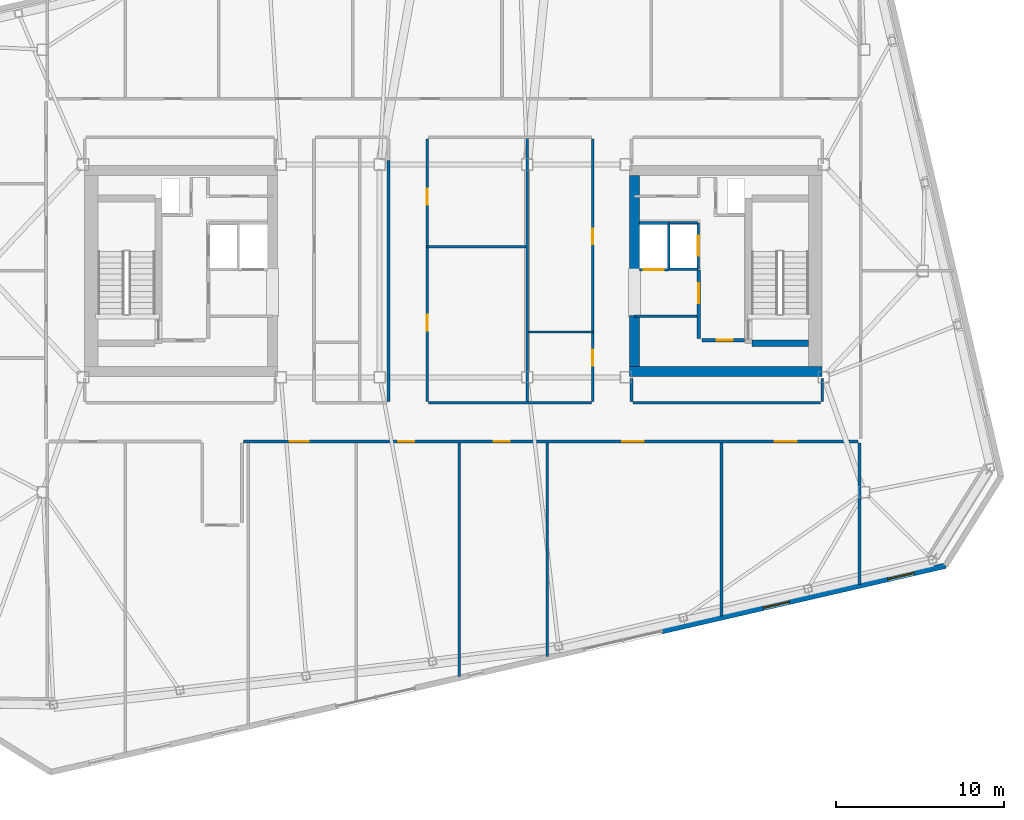
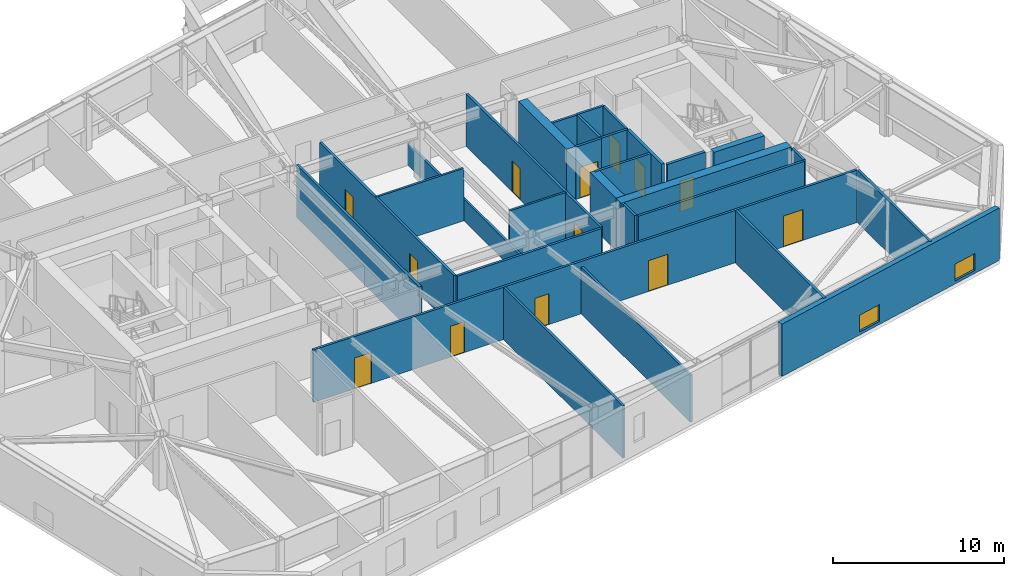
# One storey, part 17 of 23: 29 walls, 13 doors, 2 windows, 15 openings.
"""IFC4 building model written with IfcOpenShell, lengths in metres."""

from ifc_helpers import new_model, si_unit, direction, frame, frame_2d, origin, place, context, subcontext, project, spatial, rectangle, extrude, material, layer, layer_set, type_object, element, fill, save


model = new_model("IFC4")

# Units and contexts
model_context = context("Model", 3, precision=1e-05, world=origin(), true_north=direction((0.0, 1.0)))
body_context = subcontext(model_context, "Body", "Model", "MODEL_VIEW")
ifc_project = project(units=[si_unit("LENGTHUNIT", "METRE"), si_unit("AREAUNIT", "SQUARE_METRE"), si_unit("VOLUMEUNIT", "CUBIC_METRE"), si_unit("PLANEANGLEUNIT", "RADIAN"), si_unit("MASSUNIT", "GRAM", prefix="KILO")], contexts=[model_context])

# Site, building, storey
site_placement = place(None, origin())
site = spatial("IfcSite", under=ifc_project, at=site_placement, CompositionType="ELEMENT")
building_placement = place(site_placement, origin())
building = spatial("IfcBuilding", under=site, at=building_placement, Name="Tavrogorsk Clinical Tower", CompositionType="ELEMENT")
storey_placement = place(building_placement, frame((0.0, 0.0, 305.0)))
storey = spatial("IfcBuildingStorey", under=building, at=storey_placement, Name="L71", CompositionType="ELEMENT", Elevation=305.0)

# Wall, opening, door
ifc_material_1 = material(Name="Concrete B60", Category="concrete")
ifc_layer_1 = layer(ifc_material_1, 0.199951171875)
ifc_layer_set_1 = layer_set([ifc_layer_1], Name="Concrete B60")
wall_type_1 = type_object("IfcWallType", Name="CoreFireWall_200", PredefinedType="SOLIDWALL", material=ifc_layer_set_1)
wall_1_placement = place(storey_placement, frame((14.824951171875, -4.139892578125, 0.0), z_axis=(0.0, 0.0, 1.0), x_axis=(1.0, 0.0, 0.0)))
wall_1 = element("IfcWall", 1, at=wall_1_placement, inside=storey, type_object=wall_type_1, Name="L71 Core East South Core Room Fire Wall", PredefinedType="SOLIDWALL", context=body_context, shape_type="SweptSolid", body=[
    extrude(rectangle(XDim=2.554931640625, YDim=0.199951171875, at=frame_2d((1.27734375, 0.0))), origin(), (0.0, 0.0, 1.0), 3.739990234375),
])
opening_1_placement = place(wall_1_placement, frame((0.8798828125, 0.0, 0.0)))
opening_1 = element("IfcOpeningElement", 2, at=opening_1_placement, cuts=wall_1, Name="Opening ID-02", PredefinedType="OPENING", context=body_context, shape_type="SweptSolid", body=[
    extrude(rectangle(XDim=0.949951171875, YDim=2.199951171875, at=frame_2d((0.47509765625, 1.10009765625))), frame((0.0, 0.10986328125, 0.0), z_axis=(0.0, -1.0, 0.0), x_axis=(1.0, 0.0, 0.0)), (0.0, 0.0, 1.0), 0.219970703125),
])
ifc_material_2 = material(Name="Laminated timber leaf on aluminium frame", Category="wood")
door_type_1 = type_object("IfcDoorType", Name="InteriorDoor_ID02_950", OperationType="NOTDEFINED", PredefinedType="DOOR", material=ifc_material_2)
door_1_placement = place(opening_1_placement, origin())
door_1 = element("IfcDoor", 3, at=door_1_placement, inside=storey, type_object=door_type_1, Name="L71 Core East South Core Room Door", OperationType="SINGLE_SWING_RIGHT", OverallHeight=2.199951171875, OverallWidth=0.949951171875, PredefinedType="DOOR", context=body_context, shape_type="SweptSolid", body=[
    extrude(rectangle(XDim=0.949951171875, YDim=2.199951171875, at=frame_2d((0.47509765625, 1.10009765625))), frame((0.0, 0.02490234375, 0.0), z_axis=(0.0, -1.0, 0.0), x_axis=(1.0, 0.0, 0.0)), (0.0, 0.0, 1.0), 0.050048828125),
])
fill(opening_1, door_1)

wall_2_placement = place(storey_placement, frame((14.639892578125, -4.034912109375, 0.0), z_axis=(0.0, 0.0, 1.0), x_axis=(0.0, 1.0, 0.0)))
wall_2 = element("IfcWall", 4, at=wall_2_placement, inside=storey, type_object=wall_type_1, Name="L71 Core East Firefighting Lobby Fire Wall", PredefinedType="SOLIDWALL", context=body_context, shape_type="SweptSolid", body=[
    extrude(rectangle(XDim=4.074951171875, YDim=0.199951171875, at=frame_2d((2.03759765625, 0.0))), origin(), (0.0, 0.0, 1.0), 3.739990234375),
])
opening_2_placement = place(wall_2_placement, frame((2.090087890625, 0.0, 0.0)))
opening_2 = element("IfcOpeningElement", 5, at=opening_2_placement, cuts=wall_2, Name="Opening FD-01", PredefinedType="OPENING", context=body_context, shape_type="SweptSolid", body=[
    extrude(rectangle(XDim=1.199951171875, YDim=2.199951171875, at=frame_2d((0.60009765625, 1.10009765625))), frame((0.0, 0.10986328125, 0.0), z_axis=(0.0, -1.0, 0.0), x_axis=(1.0, 0.0, 0.0)), (0.0, 0.0, 1.0), 0.219970703125),
])
ifc_material_3 = material(Name="Galvanised steel fire-rated door assembly", Category="steel")
door_type_2 = type_object("IfcDoorType", Name="FireDoor_FD01_1200", OperationType="NOTDEFINED", PredefinedType="DOOR", material=ifc_material_3)
door_2_placement = place(opening_2_placement, origin())
door_2 = element("IfcDoor", 6, at=door_2_placement, inside=storey, type_object=door_type_2, Name="L71 Core East Firefighting Lobby Entry Door", OperationType="SINGLE_SWING_RIGHT", OverallHeight=2.199951171875, OverallWidth=1.199951171875, PredefinedType="DOOR", context=body_context, shape_type="SweptSolid", body=[
    extrude(rectangle(XDim=1.199951171875, YDim=2.199951171875, at=frame_2d((0.60009765625, 1.10009765625))), frame((0.0, 0.02490234375, 0.0), z_axis=(0.0, -1.0, 0.0), x_axis=(1.0, 0.0, 0.0)), (0.0, 0.0, 1.0), 0.050048828125),
])
fill(opening_2, door_2)

# Walls
ifc_material_4 = material(Name="Lightweight concrete blockwork B15", Category="masonry")
ifc_layer_2 = layer(ifc_material_4, 0.139892578125)
ifc_layer_set_2 = layer_set([ifc_layer_2], Name="Lightweight concrete blockwork B15")
wall_type_2 = type_object("IfcWallType", Name="PartitionWall_140", PredefinedType="PARTITIONING", material=ifc_layer_set_2)
wall_3_placement = place(storey_placement, frame((4.39990234375, -7.864990234375, 0.0), z_axis=(0.0, 0.0, 1.0), x_axis=(0.0, 1.0, 0.0)))
element("IfcWall", 7, at=wall_3_placement, inside=storey, type_object=wall_type_2, Name="L71 Central Spine Partition 2", PredefinedType="PARTITIONING", context=body_context, shape_type="SweptSolid", body=[
    extrude(rectangle(XDim=15.830078125, YDim=0.139892578125, at=frame_2d((7.9150390625, 0.0))), origin(), (0.0, 0.0, 1.0), 1.534912109375),
])
wall_4_placement = place(storey_placement, frame((-1.56494140625, 1.449951171875, 0.0), z_axis=(0.0, 0.0, 1.0), x_axis=(1.0, 0.0, 0.0)))
element("IfcWall", 8, at=wall_4_placement, inside=storey, type_object=wall_type_2, Name="L71 Central Spine Partition 3", PredefinedType="PARTITIONING", context=body_context, shape_type="SweptSolid", body=[
    extrude(rectangle(XDim=5.889892578125, YDim=0.139892578125, at=frame_2d((2.94482421875, 0.0))), origin(), (0.0, 0.0, 1.0), 3.739990234375),
])
wall_5_placement = place(storey_placement, frame((4.47509765625, -3.64990234375, 0.0), z_axis=(0.0, 0.0, 1.0), x_axis=(1.0, 0.0, 0.0)))
element("IfcWall", 9, at=wall_5_placement, inside=storey, type_object=wall_type_2, Name="L71 Central Spine Partition 5", PredefinedType="PARTITIONING", context=body_context, shape_type="SweptSolid", body=[
    extrude(rectangle(XDim=3.83984375, YDim=0.139892578125, at=frame_2d((1.919921875, 0.0))), origin(), (0.0, 0.0, 1.0), 3.739990234375),
])
ifc_material_5 = material(Name="Lightweight concrete blockwork B15", Category="masonry")
ifc_layer_3 = layer(ifc_material_5, 0.159912109375)
ifc_layer_set_3 = layer_set([ifc_layer_3], Name="Lightweight concrete blockwork B15")
wall_type_3 = type_object("IfcWallType", Name="PartitionWall_160", PredefinedType="PARTITIONING", material=ifc_layer_set_3)
wall_6_placement = place(storey_placement, frame((10.800048828125, -2.699951171875, 0.0), z_axis=(0.0, 0.0, 1.0), x_axis=(1.0, 0.0, 0.0)))
element("IfcWall", 10, at=wall_6_placement, inside=storey, type_object=wall_type_3, Name="L71 Core East Freed Mid-Bank North Partition", PredefinedType="PARTITIONING", context=body_context, shape_type="SweptSolid", body=[
    extrude(rectangle(XDim=3.73486328125, YDim=0.159912109375, at=frame_2d((1.867431640625, 0.0))), origin(), (0.0, 0.0, 1.0), 3.739990234375),
])

# Wall, openings, doors
wall_7_placement = place(storey_placement, frame((24.14501953125, -10.179931640625, 0.0), z_axis=(0.0, 0.0, 1.0), x_axis=(-1.0, 0.0, 0.0)))
wall_7 = element("IfcWall", 11, at=wall_7_placement, inside=storey, type_object=wall_type_3, Name="L71 Corridor Partition 04", PredefinedType="PARTITIONING", context=body_context, shape_type="SweptSolid", body=[
    extrude(rectangle(XDim=36.679931640625, YDim=0.159912109375, at=frame_2d((18.33984375, 0.0))), origin(), (0.0, 0.0, 1.0), 3.739990234375),
])
opening_3_placement = place(wall_7_placement, frame((32.77099609375, 0.0, 0.0)))
opening_3 = element("IfcOpeningElement", 12, at=opening_3_placement, cuts=wall_7, Name="Opening ID-06", PredefinedType="OPENING", context=body_context, shape_type="SweptSolid", body=[
    extrude(rectangle(XDim=1.14990234375, YDim=2.199951171875, at=frame_2d((0.574951171875, 1.10009765625))), frame((0.0, 0.08984375, 0.0), z_axis=(0.0, -1.0, 0.0), x_axis=(1.0, 0.0, 0.0)), (0.0, 0.0, 1.0), 0.179931640625),
])
opening_4_placement = place(wall_7_placement, frame((26.47998046875, 0.0, 0.0)))
opening_4 = element("IfcOpeningElement", 13, at=opening_4_placement, cuts=wall_7, Name="Opening ID-02", PredefinedType="OPENING", context=body_context, shape_type="SweptSolid", body=[
    extrude(rectangle(XDim=0.949951171875, YDim=2.199951171875, at=frame_2d((0.47509765625, 1.10009765625))), frame((0.0, 0.08984375, 0.0), z_axis=(0.0, -1.0, 0.0), x_axis=(1.0, 0.0, 0.0)), (0.0, 0.0, 1.0), 0.179931640625),
])
opening_5_placement = place(wall_7_placement, frame((20.780029296875, 0.0, 0.0)))
opening_5 = element("IfcOpeningElement", 14, at=opening_5_placement, cuts=wall_7, Name="Opening ID-02", PredefinedType="OPENING", context=body_context, shape_type="SweptSolid", body=[
    extrude(rectangle(XDim=0.949951171875, YDim=2.199951171875, at=frame_2d((0.47509765625, 1.10009765625))), frame((0.0, 0.08984375, 0.0), z_axis=(0.0, -1.0, 0.0), x_axis=(1.0, 0.0, 0.0)), (0.0, 0.0, 1.0), 0.179931640625),
])
opening_6_placement = place(wall_7_placement, frame((12.780029296875, 0.0, 0.0)))
opening_6 = element("IfcOpeningElement", 15, at=opening_6_placement, cuts=wall_7, Name="Opening ID-01", PredefinedType="OPENING", context=body_context, shape_type="SweptSolid", body=[
    extrude(rectangle(XDim=1.300048828125, YDim=2.199951171875, at=frame_2d((0.64990234375, 1.10009765625))), frame((0.0, 0.08984375, 0.0), z_axis=(0.0, -1.0, 0.0), x_axis=(1.0, 0.0, 0.0)), (0.0, 0.0, 1.0), 0.179931640625),
])
opening_7_placement = place(wall_7_placement, frame((3.6591796875, 0.0, 0.0)))
opening_7 = element("IfcOpeningElement", 16, at=opening_7_placement, cuts=wall_7, Name="Opening ID-01", PredefinedType="OPENING", context=body_context, shape_type="SweptSolid", body=[
    extrude(rectangle(XDim=1.300048828125, YDim=2.199951171875, at=frame_2d((0.64990234375, 1.10009765625))), frame((0.0, 0.08984375, 0.0), z_axis=(0.0, -1.0, 0.0), x_axis=(1.0, 0.0, 0.0)), (0.0, 0.0, 1.0), 0.179931640625),
])
door_3_placement = place(opening_4_placement, origin())
door_3 = element("IfcDoor", 17, at=door_3_placement, inside=storey, type_object=door_type_1, Name="L71 South Staff Rest & Nourishment Lounge 03A Door", OperationType="SINGLE_SWING_LEFT", OverallHeight=2.199951171875, OverallWidth=0.949951171875, PredefinedType="DOOR", context=body_context, shape_type="SweptSolid", body=[
    extrude(rectangle(XDim=0.949951171875, YDim=2.199951171875, at=frame_2d((0.47509765625, 1.10009765625))), frame((0.0, 0.02490234375, 0.0), z_axis=(0.0, -1.0, 0.0), x_axis=(1.0, 0.0, 0.0)), (0.0, 0.0, 1.0), 0.050048828125),
])
fill(opening_4, door_3)
door_4_placement = place(opening_5_placement, origin())
door_4 = element("IfcDoor", 18, at=door_4_placement, inside=storey, type_object=door_type_1, Name="L71 South Attending Physician Office 03B Door", OperationType="SINGLE_SWING_RIGHT", OverallHeight=2.199951171875, OverallWidth=0.949951171875, PredefinedType="DOOR", context=body_context, shape_type="SweptSolid", body=[
    extrude(rectangle(XDim=0.949951171875, YDim=2.199951171875, at=frame_2d((0.47509765625, 1.10009765625))), frame((0.0, 0.02490234375, 0.0), z_axis=(0.0, -1.0, 0.0), x_axis=(1.0, 0.0, 0.0)), (0.0, 0.0, 1.0), 0.050048828125),
])
fill(opening_5, door_4)
ifc_material_6 = material(Name="Antibacterial HPL procedure door on aluminium frame", Category="aluminium")
door_type_3 = type_object("IfcDoorType", Name="LabDoor_ID06_1150", OperationType="NOTDEFINED", PredefinedType="DOOR", material=ifc_material_6)
door_5_placement = place(opening_3_placement, origin())
door_5 = element("IfcDoor", 19, at=door_5_placement, inside=storey, type_object=door_type_3, Name="L71 South Cardiology Diagnostics Room 02B Door", OperationType="SINGLE_SWING_RIGHT", OverallHeight=2.199951171875, OverallWidth=1.14990234375, PredefinedType="DOOR", context=body_context, shape_type="SweptSolid", body=[
    extrude(rectangle(XDim=1.14990234375, YDim=2.199951171875, at=frame_2d((0.574951171875, 1.10009765625))), frame((0.0, 0.02490234375, 0.0), z_axis=(0.0, -1.0, 0.0), x_axis=(1.0, 0.0, 0.0)), (0.0, 0.0, 1.0), 0.050048828125),
])
fill(opening_3, door_5)
ifc_material_7 = material(Name="Antibacterial HPL medical leaf on aluminium frame", Category="aluminium")
door_type_4 = type_object("IfcDoorType", Name="WardBedDoor_ID01_1300", OperationType="NOTDEFINED", PredefinedType="DOOR", material=ifc_material_7)
door_6_placement = place(opening_6_placement, origin())
door_6 = element("IfcDoor", 20, at=door_6_placement, inside=storey, type_object=door_type_4, Name="L71 South Bariatric Observation Ward 04 Door", OperationType="SINGLE_SWING_LEFT", OverallHeight=2.199951171875, OverallWidth=1.300048828125, PredefinedType="DOOR", context=body_context, shape_type="SweptSolid", body=[
    extrude(rectangle(XDim=1.300048828125, YDim=2.199951171875, at=frame_2d((0.64990234375, 1.10009765625))), frame((0.0, 0.02490234375, 0.0), z_axis=(0.0, -1.0, 0.0), x_axis=(1.0, 0.0, 0.0)), (0.0, 0.0, 1.0), 0.050048828125),
])
fill(opening_6, door_6)
door_7_placement = place(opening_7_placement, origin())
door_7 = element("IfcDoor", 21, at=door_7_placement, inside=storey, type_object=door_type_4, Name="L71 South Surgical Step-Down Ward 05 Door", OperationType="SINGLE_SWING_RIGHT", OverallHeight=2.199951171875, OverallWidth=1.300048828125, PredefinedType="DOOR", context=body_context, shape_type="SweptSolid", body=[
    extrude(rectangle(XDim=1.300048828125, YDim=2.199951171875, at=frame_2d((0.64990234375, 1.10009765625))), frame((0.0, 0.02490234375, 0.0), z_axis=(0.0, -1.0, 0.0), x_axis=(1.0, 0.0, 0.0)), (0.0, 0.0, 1.0), 0.050048828125),
])
fill(opening_7, door_7)

# Walls
wall_8_placement = place(storey_placement, frame((10.6298828125, -6.419921875, 0.0), z_axis=(0.0, 0.0, 1.0), x_axis=(0.0, -1.0, 0.0)))
element("IfcWall", 22, at=wall_8_placement, inside=storey, type_object=wall_type_3, Name="L71 Corridor Partition 11", PredefinedType="PARTITIONING", context=body_context, shape_type="SweptSolid", body=[
    extrude(rectangle(XDim=1.364990234375, YDim=0.159912109375, at=frame_2d((0.6826171875, 0.0))), origin(), (0.0, 0.0, 1.0), 3.739990234375),
])
wall_9_placement = place(storey_placement, frame((10.715087890625, -7.8701171875, 0.0), z_axis=(0.0, 0.0, 1.0), x_axis=(1.0, 0.0, 0.0)))
element("IfcWall", 23, at=wall_9_placement, inside=storey, type_object=wall_type_3, Name="L71 Corridor Partition 12", PredefinedType="PARTITIONING", context=body_context, shape_type="SweptSolid", body=[
    extrude(rectangle(XDim=11.199951171875, YDim=0.159912109375, at=frame_2d((5.60009765625, 0.0))), origin(), (0.0, 0.0, 1.0), 3.739990234375),
])
wall_10_placement = place(storey_placement, frame((22.0, -7.784912109375, 0.0), z_axis=(0.0, 0.0, 1.0), x_axis=(0.0, 1.0, 0.0)))
element("IfcWall", 24, at=wall_10_placement, inside=storey, type_object=wall_type_3, Name="L71 Corridor Partition 13", PredefinedType="PARTITIONING", context=body_context, shape_type="SweptSolid", body=[
    extrude(rectangle(XDim=1.364990234375, YDim=0.159912109375, at=frame_2d((0.6826171875, 0.0))), origin(), (0.0, 0.0, 1.0), 3.739990234375),
])

# Wall, openings, doors
wall_11_placement = place(storey_placement, frame((-1.570068359375, 7.885009765625, 0.0), z_axis=(0.0, 0.0, 1.0), x_axis=(0.0, -1.0, 0.0)))
wall_11 = element("IfcWall", 25, at=wall_11_placement, inside=storey, type_object=wall_type_3, Name="L71 Corridor Partition 16", PredefinedType="PARTITIONING", context=body_context, shape_type="SweptSolid", body=[
    extrude(rectangle(XDim=15.669921875, YDim=0.159912109375, at=frame_2d((7.8349609375, 0.0))), origin(), (0.0, 0.0, 1.0), 3.739990234375),
])
opening_8_placement = place(wall_11_placement, frame((10.510986328125, 0.0, 0.0)))
opening_8 = element("IfcOpeningElement", 26, at=opening_8_placement, cuts=wall_11, Name="Opening ID-02", PredefinedType="OPENING", context=body_context, shape_type="SweptSolid", body=[
    extrude(rectangle(XDim=0.949951171875, YDim=2.199951171875, at=frame_2d((0.47509765625, 1.10009765625))), frame((0.0, 0.08984375, 0.0), z_axis=(0.0, -1.0, 0.0), x_axis=(1.0, 0.0, 0.0)), (0.0, 0.0, 1.0), 0.179931640625),
])
opening_9_placement = place(wall_11_placement, frame((2.97900390625, 0.0, 0.0)))
opening_9 = element("IfcOpeningElement", 27, at=opening_9_placement, cuts=wall_11, Name="Opening ID-02", PredefinedType="OPENING", context=body_context, shape_type="SweptSolid", body=[
    extrude(rectangle(XDim=0.949951171875, YDim=2.199951171875, at=frame_2d((0.47509765625, 1.10009765625))), frame((0.0, 0.08984375, 0.0), z_axis=(0.0, -1.0, 0.0), x_axis=(1.0, 0.0, 0.0)), (0.0, 0.0, 1.0), 0.179931640625),
])
door_8_placement = place(opening_8_placement, origin())
door_8 = element("IfcDoor", 28, at=door_8_placement, inside=storey, type_object=door_type_1, Name="L71 Multidisciplinary Conference Room Door", OperationType="SINGLE_SWING_LEFT", OverallHeight=2.199951171875, OverallWidth=0.949951171875, PredefinedType="DOOR", context=body_context, shape_type="SweptSolid", body=[
    extrude(rectangle(XDim=0.949951171875, YDim=2.199951171875, at=frame_2d((0.47509765625, 1.10009765625))), frame((0.0, 0.02490234375, 0.0), z_axis=(0.0, -1.0, 0.0), x_axis=(1.0, 0.0, 0.0)), (0.0, 0.0, 1.0), 0.050048828125),
])
fill(opening_8, door_8)
door_9_placement = place(opening_9_placement, origin())
door_9 = element("IfcDoor", 29, at=door_9_placement, inside=storey, type_object=door_type_1, Name="L71 Nurses' Station & Triage Hub Door", OperationType="SINGLE_SWING_RIGHT", OverallHeight=2.199951171875, OverallWidth=0.949951171875, PredefinedType="DOOR", context=body_context, shape_type="SweptSolid", body=[
    extrude(rectangle(XDim=0.949951171875, YDim=2.199951171875, at=frame_2d((0.47509765625, 1.10009765625))), frame((0.0, 0.02490234375, 0.0), z_axis=(0.0, -1.0, 0.0), x_axis=(1.0, 0.0, 0.0)), (0.0, 0.0, 1.0), 0.050048828125),
])
fill(opening_9, door_9)

# Wall
wall_12_placement = place(storey_placement, frame((-1.485107421875, -7.8701171875, 0.0), z_axis=(0.0, 0.0, 1.0), x_axis=(1.0, 0.0, 0.0)))
element("IfcWall", 30, at=wall_12_placement, inside=storey, type_object=wall_type_3, Name="L71 Corridor Partition 17", PredefinedType="PARTITIONING", context=body_context, shape_type="SweptSolid", body=[
    extrude(rectangle(XDim=9.72021484375, YDim=0.159912109375, at=frame_2d((4.860107421875, 0.0))), origin(), (0.0, 0.0, 1.0), 3.739990234375),
])

# Wall, openings, doors
wall_13_placement = place(storey_placement, frame((8.320068359375, -7.784912109375, 0.0), z_axis=(0.0, 0.0, 1.0), x_axis=(0.0, 1.0, 0.0)))
wall_13 = element("IfcWall", 31, at=wall_13_placement, inside=storey, type_object=wall_type_3, Name="L71 Corridor Partition 18", PredefinedType="PARTITIONING", context=body_context, shape_type="SweptSolid", body=[
    extrude(rectangle(XDim=15.669921875, YDim=0.159912109375, at=frame_2d((7.8349609375, 0.0))), origin(), (0.0, 0.0, 1.0), 3.739990234375),
])
opening_10_placement = place(wall_13_placement, frame((2.129150390625, 0.0, 0.0)))
opening_10 = element("IfcOpeningElement", 32, at=opening_10_placement, cuts=wall_13, Name="Opening ID-02", PredefinedType="OPENING", context=body_context, shape_type="SweptSolid", body=[
    extrude(rectangle(XDim=0.949951171875, YDim=2.199951171875, at=frame_2d((0.47509765625, 1.10009765625))), frame((0.0, 0.08984375, 0.0), z_axis=(0.0, -1.0, 0.0), x_axis=(1.0, 0.0, 0.0)), (0.0, 0.0, 1.0), 0.179931640625),
])
opening_11_placement = place(wall_13_placement, frame((9.36083984375, 0.0, 0.0)))
opening_11 = element("IfcOpeningElement", 33, at=opening_11_placement, cuts=wall_13, Name="Opening ID-02", PredefinedType="OPENING", context=body_context, shape_type="SweptSolid", body=[
    extrude(rectangle(XDim=0.949951171875, YDim=2.199951171875, at=frame_2d((0.47509765625, 1.10009765625))), frame((0.0, 0.08984375, 0.0), z_axis=(0.0, -1.0, 0.0), x_axis=(1.0, 0.0, 0.0)), (0.0, 0.0, 1.0), 0.179931640625),
])
door_10_placement = place(opening_10_placement, origin())
door_10 = element("IfcDoor", 34, at=door_10_placement, inside=storey, type_object=door_type_1, Name="L71 Staff & Visitor Accessible WC Door", OperationType="SINGLE_SWING_LEFT", OverallHeight=2.199951171875, OverallWidth=0.949951171875, PredefinedType="DOOR", context=body_context, shape_type="SweptSolid", body=[
    extrude(rectangle(XDim=0.949951171875, YDim=2.199951171875, at=frame_2d((0.47509765625, 1.10009765625))), frame((0.0, 0.02490234375, 0.0), z_axis=(0.0, -1.0, 0.0), x_axis=(1.0, 0.0, 0.0)), (0.0, 0.0, 1.0), 0.050048828125),
])
fill(opening_10, door_10)
door_11_placement = place(opening_11_placement, origin())
door_11 = element("IfcDoor", 35, at=door_11_placement, inside=storey, type_object=door_type_1, Name="L71 Attending Physician Office Door", OperationType="SINGLE_SWING_RIGHT", OverallHeight=2.199951171875, OverallWidth=0.949951171875, PredefinedType="DOOR", context=body_context, shape_type="SweptSolid", body=[
    extrude(rectangle(XDim=0.949951171875, YDim=2.199951171875, at=frame_2d((0.47509765625, 1.10009765625))), frame((0.0, 0.02490234375, 0.0), z_axis=(0.0, -1.0, 0.0), x_axis=(1.0, 0.0, 0.0)), (0.0, 0.0, 1.0), 0.050048828125),
])
fill(opening_11, door_11)

# Walls
wall_14_placement = place(storey_placement, frame((-3.8798828125, -7.784912109375, 0.0), z_axis=(0.0, 0.0, 1.0), x_axis=(0.0, 1.0, 0.0)))
element("IfcWall", 36, at=wall_14_placement, inside=storey, type_object=wall_type_3, Name="L71 Corridor Partition 19", PredefinedType="PARTITIONING", context=body_context, shape_type="SweptSolid", body=[
    extrude(rectangle(XDim=14.365234375, YDim=0.159912109375, at=frame_2d((7.1826171875, 0.0))), origin(), (0.0, 0.0, 1.0), 3.739990234375),
])
wall_15_placement = place(storey_placement, frame((24.22998046875, -18.702880859375, 0.0), z_axis=(0.0, 0.0, 1.0), x_axis=(0.0, 1.0, 0.0)))
element("IfcWall", 37, at=wall_15_placement, inside=storey, type_object=wall_type_3, Name="L71 SE Wing Closure Partition", PredefinedType="PARTITIONING", context=body_context, shape_type="SweptSolid", body=[
    extrude(rectangle(XDim=8.43798828125, YDim=0.159912109375, at=frame_2d((4.218994140625, 0.0))), origin(), (0.0, 0.0, 1.0), 3.739990234375),
])
wall_16_placement = place(storey_placement, frame((5.60009765625, -23.00390625, 0.0), z_axis=(0.0, 0.0, 1.0), x_axis=(0.0, 1.0, 0.0)))
element("IfcWall", 38, at=wall_16_placement, inside=storey, type_object=wall_type_3, Name="L71 South Room Partition 3", PredefinedType="PARTITIONING", context=body_context, shape_type="SweptSolid", body=[
    extrude(rectangle(XDim=12.739013671875, YDim=0.159912109375, at=frame_2d((6.36962890625, 0.0))), origin(), (0.0, 0.0, 1.0), 3.3349609375),
])
wall_17_placement = place(storey_placement, frame((16.0, -20.602783203125, 0.0), z_axis=(0.0, 0.0, 1.0), x_axis=(0.0, 1.0, 0.0)))
element("IfcWall", 39, at=wall_17_placement, inside=storey, type_object=wall_type_3, Name="L71 South Room Partition 4", PredefinedType="PARTITIONING", context=body_context, shape_type="SweptSolid", body=[
    extrude(rectangle(XDim=10.337890625, YDim=0.159912109375, at=frame_2d((5.1689453125, 0.0))), origin(), (0.0, 0.0, 1.0), 3.739990234375),
])
wall_18_placement = place(storey_placement, frame((0.35009765625, -24.2158203125, 0.0), z_axis=(0.0, 0.0, 1.0), x_axis=(0.0, 1.0, 0.0)))
element("IfcWall", 40, at=wall_18_placement, inside=storey, type_object=wall_type_3, Name="L71 South Sub-Partition 3", PredefinedType="PARTITIONING", context=body_context, shape_type="SweptSolid", body=[
    extrude(rectangle(XDim=13.950927734375, YDim=0.159912109375, at=frame_2d((6.9755859375, 0.0))), origin(), (0.0, 0.0, 1.0), 3.739990234375),
])

# Wall, openings, windows
ifc_material_8 = material(Name="Precast concrete B45 with limestone cladding", Category="masonry")
ifc_layer_4 = layer(ifc_material_8, 0.340087890625)
ifc_layer_set_4 = layer_set([ifc_layer_4], Name="Precast concrete B45 with limestone cladding")
wall_type_4 = type_object("IfcWallType", Name="PrecastLimestoneWall_340", PredefinedType="STANDARD", material=ifc_layer_set_4)
wall_19_placement = place(storey_placement, frame((12.4453125, -21.495361328125, 0.0), z_axis=(0.0, 0.0, 1.0), x_axis=(0.974369392164, 0.224953967767, 0.0)))
wall_19 = element("IfcWall", 41, at=wall_19_placement, inside=storey, type_object=wall_type_4, Name="L71 S Limestone Facade Wall 3", PredefinedType="STANDARD", context=body_context, shape_type="SweptSolid", body=[
    extrude(rectangle(XDim=17.36572265625, YDim=0.340087890625, at=frame_2d((8.682861328125, 0.0))), origin(), (0.0, 0.0, 1.0), 3.739990234375),
])
opening_12_placement = place(wall_19_placement, frame((6.190185546875, 0.0, 0.219970703125)))
opening_12 = element("IfcOpeningElement", 42, at=opening_12_placement, cuts=wall_19, Name="Opening WN-09", PredefinedType="OPENING", context=body_context, shape_type="SweptSolid", body=[
    extrude(rectangle(XDim=1.60009765625, YDim=1.199951171875, at=frame_2d((0.800048828125, 0.60009765625))), frame((0.0, 0.179931640625, 0.0), z_axis=(0.0, -1.0, 0.0), x_axis=(1.0, 0.0, 0.0)), (0.0, 0.0, 1.0), 0.360107421875),
])
opening_13_placement = place(wall_19_placement, frame((13.82470703125, 0.0, 0.219970703125)))
opening_13 = element("IfcOpeningElement", 43, at=opening_13_placement, cuts=wall_19, Name="Opening WN-09", PredefinedType="OPENING", context=body_context, shape_type="SweptSolid", body=[
    extrude(rectangle(XDim=1.60009765625, YDim=1.199951171875, at=frame_2d((0.800048828125, 0.60009765625))), frame((0.0, 0.179931640625, 0.0), z_axis=(0.0, -1.0, 0.0), x_axis=(1.0, 0.0, 0.0)), (0.0, 0.0, 1.0), 0.360107421875),
])
ifc_material_9 = material(Name="Thermally broken aluminium frame and triple IGU", Category="aluminium")
window_type = type_object("IfcWindowType", Name="LowHeadTransWin_1600x1200", PartitioningType="DOUBLE_PANEL_VERTICAL", PredefinedType="WINDOW", material=ifc_material_9)
window_1_placement = place(opening_12_placement, origin())
window_1 = element("IfcWindow", 44, at=window_1_placement, inside=storey, type_object=window_type, Name="L71 S Chicago Window 08", OverallHeight=1.199951171875, OverallWidth=1.60009765625, PartitioningType="SINGLE_PANEL", PredefinedType="WINDOW", context=body_context, shape_type="SweptSolid", body=[
    extrude(rectangle(XDim=1.60009765625, YDim=1.199951171875, at=frame_2d((0.800048828125, 0.60009765625))), frame((0.0, 0.030029296875, 0.0), z_axis=(0.0, -1.0, 0.0), x_axis=(1.0, 0.0, 0.0)), (0.0, 0.0, 1.0), 0.06005859375),
])
fill(opening_12, window_1)
window_2_placement = place(opening_13_placement, origin())
window_2 = element("IfcWindow", 45, at=window_2_placement, inside=storey, type_object=window_type, Name="L71 S Chicago Window 10", OverallHeight=1.199951171875, OverallWidth=1.60009765625, PartitioningType="SINGLE_PANEL", PredefinedType="WINDOW", context=body_context, shape_type="SweptSolid", body=[
    extrude(rectangle(XDim=1.60009765625, YDim=1.199951171875, at=frame_2d((0.800048828125, 0.60009765625))), frame((0.0, 0.030029296875, 0.0), z_axis=(0.0, -1.0, 0.0), x_axis=(1.0, 0.0, 0.0)), (0.0, 0.0, 1.0), 0.06005859375),
])
fill(opening_13, window_2)

# Wall, opening, door
ifc_material_10 = material(Name="Lightweight concrete blockwork B25", Category="masonry")
ifc_layer_5 = layer(ifc_material_10, 0.159912109375)
ifc_layer_set_5 = layer_set([ifc_layer_5], Name="Lightweight concrete blockwork B25")
wall_type_5 = type_object("IfcWallType", Name="ShaftWall_160", PredefinedType="PARTITIONING", material=ifc_layer_set_5)
wall_20_placement = place(storey_placement, frame((14.60009765625, 0.1201171875, 0.0), z_axis=(0.0, 0.0, 1.0), x_axis=(0.0, 1.0, 0.0)))
wall_20 = element("IfcWall", 46, at=wall_20_placement, inside=storey, type_object=wall_type_5, Name="L71 FFL-E Firefighting Lift Front Wall", PredefinedType="PARTITIONING", context=body_context, shape_type="SweptSolid", body=[
    extrude(rectangle(XDim=2.739990234375, YDim=0.159912109375, at=frame_2d((1.3701171875, 0.0))), origin(), (0.0, 0.0, 1.0), 3.739990234375),
])
opening_14_placement = place(wall_20_placement, frame((0.77001953125, 0.0, 0.0)))
opening_14 = element("IfcOpeningElement", 47, at=opening_14_placement, cuts=wall_20, Name="Opening LD", PredefinedType="OPENING", context=body_context, shape_type="SweptSolid", body=[
    extrude(rectangle(XDim=1.199951171875, YDim=2.199951171875, at=frame_2d((0.60009765625, 1.10009765625))), frame((0.0, 0.08984375, 0.0), z_axis=(0.0, -1.0, 0.0), x_axis=(1.0, 0.0, 0.0)), (0.0, 0.0, 1.0), 0.179931640625),
])
ifc_material_11 = material(Name="Brushed stainless steel AISI 304 sliding doors", Category="steel")
door_type_5 = type_object("IfcDoorType", Name="LiftLandingDoor_LD_1200", OperationType="SLIDING_TO_LEFT", PredefinedType="DOOR", material=ifc_material_11)
door_12_placement = place(opening_14_placement, origin())
door_12 = element("IfcDoor", 48, at=door_12_placement, inside=storey, type_object=door_type_5, Name="L71 FFL-E Sliding Lift Landing Door", OperationType="SLIDING_TO_LEFT", OverallHeight=2.199951171875, OverallWidth=1.199951171875, PredefinedType="DOOR", context=body_context, shape_type="SweptSolid", body=[
    extrude(rectangle(XDim=1.199951171875, YDim=2.199951171875, at=frame_2d((0.60009765625, 1.10009765625))), frame((0.0, 0.02490234375, 0.0), z_axis=(0.0, -1.0, 0.0), x_axis=(1.0, 0.0, 0.0)), (0.0, 0.0, 1.0), 0.050048828125),
])
fill(opening_14, door_12)

# Walls
for number, where, z_axis, x_axis, name in (
    (49, (12.840087890625, 0.10009765625, 0.0), (0.0, 0.0, 1.0), (1.0, 0.0, 0.0), "L71 FFL-E Shaft South Wall"),
    (50, (12.840087890625, 2.8798828125, 0.0), (0.0, 0.0, 1.0), (1.0, 0.0, 0.0), "L71 FFL-E Shaft North Wall"),
):
    element("IfcWall", number, at=place(storey_placement, frame(where, z_axis=z_axis, x_axis=x_axis)), inside=storey, type_object=wall_type_5, Name=name, PredefinedType="PARTITIONING", context=body_context, shape_type="SweptSolid", body=[
        extrude(rectangle(XDim=1.760009765625, YDim=0.159912109375, at=frame_2d((0.8798828125, 0.0))), origin(), (0.0, 0.0, 1.0), 3.739990234375),
    ])
wall_21_placement = place(storey_placement, frame((12.840087890625, 0.179931640625, 0.0), z_axis=(0.0, 0.0, 1.0), x_axis=(0.0, 1.0, 0.0)))
element("IfcWall", 51, at=wall_21_placement, inside=storey, type_object=wall_type_5, Name="L71 FFL-E Shaft Back Wall", PredefinedType="PARTITIONING", context=body_context, shape_type="SweptSolid", body=[
    extrude(rectangle(XDim=2.6201171875, YDim=0.159912109375, at=frame_2d((1.31005859375, 0.0))), origin(), (0.0, 0.0, 1.0), 3.739990234375),
])

# Wall, opening, door
wall_22_placement = place(storey_placement, frame((11.10009765625, 0.06005859375, 0.0), z_axis=(0.0, 0.0, 1.0), x_axis=(1.0, 0.0, 0.0)))
wall_22 = element("IfcWall", 52, at=wall_22_placement, inside=storey, type_object=wall_type_5, Name="L71 LP-H2 High-Zone Lift Portal Wall", PredefinedType="PARTITIONING", context=body_context, shape_type="SweptSolid", body=[
    extrude(rectangle(XDim=1.719970703125, YDim=0.159912109375, at=frame_2d((0.85986328125, 0.0))), origin(), (0.0, 0.0, 1.0), 3.739990234375),
])
opening_15_placement = place(wall_22_placement, frame((0.260009765625, 0.0, 0.0)))
opening_15 = element("IfcOpeningElement", 53, at=opening_15_placement, cuts=wall_22, Name="Opening LD", PredefinedType="OPENING", context=body_context, shape_type="SweptSolid", body=[
    extrude(rectangle(XDim=1.199951171875, YDim=2.199951171875, at=frame_2d((0.60009765625, 1.10009765625))), frame((0.0, 0.08984375, 0.0), z_axis=(0.0, -1.0, 0.0), x_axis=(1.0, 0.0, 0.0)), (0.0, 0.0, 1.0), 0.179931640625),
])
door_13_placement = place(opening_15_placement, origin())
door_13 = element("IfcDoor", 54, at=door_13_placement, inside=storey, type_object=door_type_5, Name="L71 LP-H2 Sliding Lift Landing Door", OperationType="SLIDING_TO_LEFT", OverallHeight=2.199951171875, OverallWidth=1.199951171875, PredefinedType="DOOR", context=body_context, shape_type="SweptSolid", body=[
    extrude(rectangle(XDim=1.199951171875, YDim=2.199951171875, at=frame_2d((0.60009765625, 1.10009765625))), frame((0.0, 0.02490234375, 0.0), z_axis=(0.0, -1.0, 0.0), x_axis=(1.0, 0.0, 0.0)), (0.0, 0.0, 1.0), 0.050048828125),
])
fill(opening_15, door_13)

# Walls
wall_23_placement = place(storey_placement, frame((11.10009765625, 2.860107421875, 0.0), z_axis=(0.0, 0.0, 1.0), x_axis=(1.0, 0.0, 0.0)))
element("IfcWall", 55, at=wall_23_placement, inside=storey, type_object=wall_type_5, Name="L71 LP-H2 High-Zone Lift Rear Wall", PredefinedType="PARTITIONING", context=body_context, shape_type="SweptSolid", body=[
    extrude(rectangle(XDim=1.719970703125, YDim=0.159912109375, at=frame_2d((0.85986328125, 0.0))), origin(), (0.0, 0.0, 1.0), 3.739990234375),
])
ifc_material_12 = material(Name="Concrete B80", Category="concrete")
ifc_layer_6 = layer(ifc_material_12, 0.39990234375)
ifc_layer_set_6 = layer_set([ifc_layer_6], Name="Concrete B80")
wall_type_6 = type_object("IfcWallType", Name="ShearWall_400", PredefinedType="SHEAR", material=ifc_layer_set_6)
wall_24_placement = place(storey_placement, frame((17.800048828125, -4.324951171875, 0.0), z_axis=(0.0, 0.0, 1.0), x_axis=(1.0, 0.0, 0.0)))
element("IfcWall", 56, at=wall_24_placement, inside=storey, type_object=wall_type_6, Name="L71 Core East Stair Shaft South Shear Wall", PredefinedType="SHEAR", context=body_context, shape_type="SweptSolid", body=[
    extrude(rectangle(XDim=3.39990234375, YDim=0.39990234375, at=frame_2d((1.699951171875, 0.0))), origin(), (0.0, 0.0, 1.0), 3.739990234375),
])
ifc_material_13 = material(Name="Concrete B80", Category="concrete")
ifc_layer_7 = layer(ifc_material_13, 0.60009765625)
ifc_layer_set_7 = layer_set([ifc_layer_7], Name="Concrete B80")
wall_type_7 = type_object("IfcWallType", Name="ShearWall_600", PredefinedType="SHEAR", material=ifc_layer_set_7)
wall_25_placement = place(storey_placement, frame((10.5, -6.0, 0.0), z_axis=(0.0, 0.0, 1.0), x_axis=(1.0, 0.0, 0.0)))
element("IfcWall", 57, at=wall_25_placement, inside=storey, type_object=wall_type_7, Name="L71 Core East South Shear Wall", PredefinedType="SHEAR", context=body_context, shape_type="SweptSolid", body=[
    extrude(rectangle(XDim=11.5, YDim=0.60009765625, at=frame_2d((5.75, 0.0))), origin(), (0.0, 0.0, 1.0), 3.739990234375),
])
wall_26_placement = place(storey_placement, frame((10.800048828125, -5.699951171875, 0.0), z_axis=(0.0, 0.0, 1.0), x_axis=(0.0, 1.0, 0.0)))
element("IfcWall", 58, at=wall_26_placement, inside=storey, type_object=wall_type_7, Name="L71 Core East Inner South Pier", PredefinedType="SHEAR", context=body_context, shape_type="SweptSolid", body=[
    extrude(rectangle(XDim=3.050048828125, YDim=0.60009765625, at=frame_2d((1.52490234375, 0.0))), origin(), (0.0, 0.0, 1.0), 3.739990234375),
])
wall_27_placement = place(storey_placement, frame((10.800048828125, 0.050048828125, 0.0), z_axis=(0.0, 0.0, 1.0), x_axis=(0.0, 1.0, 0.0)))
element("IfcWall", 59, at=wall_27_placement, inside=storey, type_object=wall_type_7, Name="L71 Core East Inner North Pier", PredefinedType="SHEAR", context=body_context, shape_type="SweptSolid", body=[
    extrude(rectangle(XDim=5.64990234375, YDim=0.60009765625, at=frame_2d((2.824951171875, 0.0))), origin(), (0.0, 0.0, 1.0), 3.739990234375),
])

save(model, "model.ifc")
